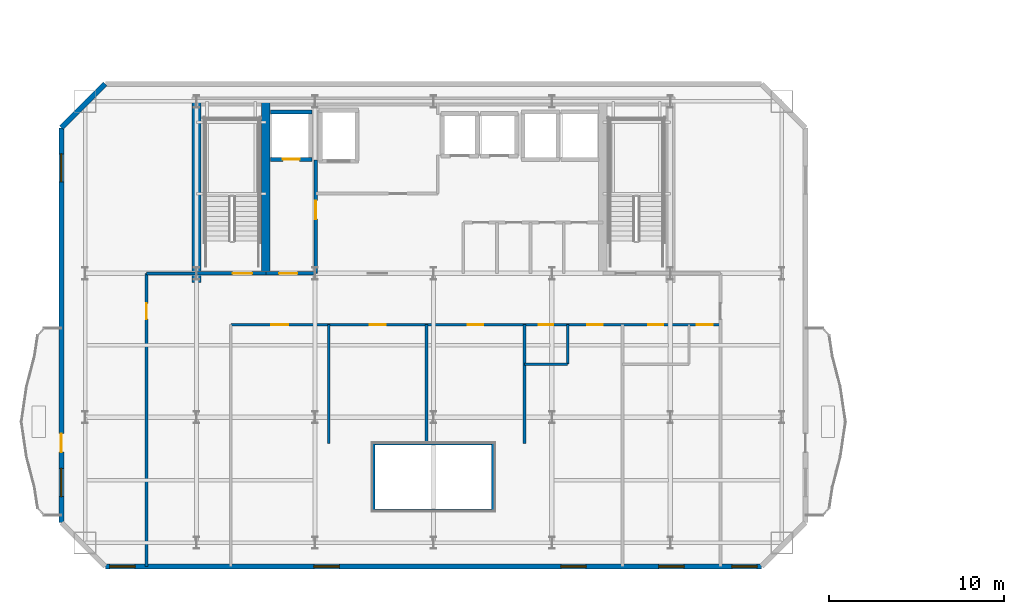
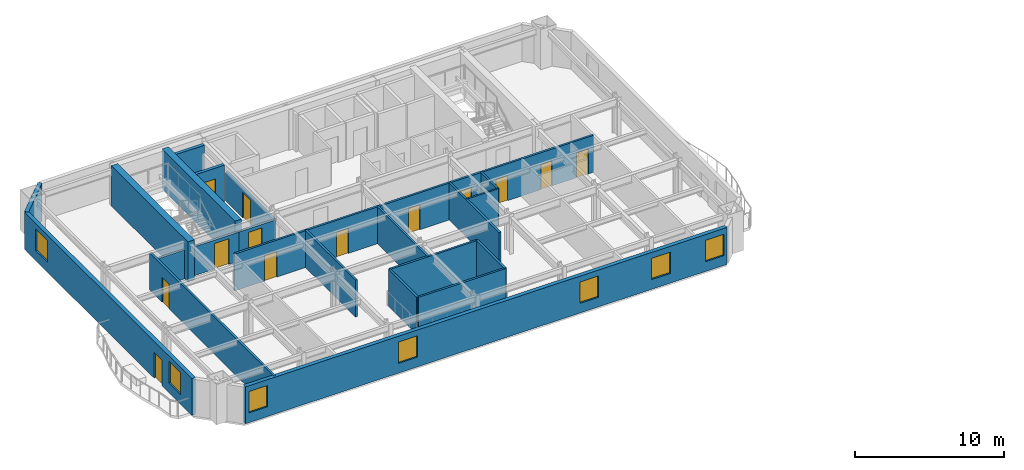
# One storey, part 5 of 13: 22 walls, 13 doors, 7 windows, 20 openings.
"""IFC4 building model written with IfcOpenShell, lengths in metres."""

from ifc_helpers import new_model, si_unit, direction, frame, frame_2d, origin, place, context, subcontext, project, spatial, rectangle, extrude, material, layer, layer_set, type_object, element, fill, save


model = new_model("IFC4")

# Units and contexts
model_context = context("Model", 3, precision=1e-05, world=origin(), true_north=direction((0.0, 1.0)))
body_context = subcontext(model_context, "Body", "Model", "MODEL_VIEW")
ifc_project = project(units=[si_unit("LENGTHUNIT", "METRE"), si_unit("AREAUNIT", "SQUARE_METRE"), si_unit("VOLUMEUNIT", "CUBIC_METRE"), si_unit("PLANEANGLEUNIT", "RADIAN"), si_unit("MASSUNIT", "GRAM", prefix="KILO")], contexts=[model_context])

# Site, building, storey
site_placement = place(None, origin())
site = spatial("IfcSite", under=ifc_project, at=site_placement, CompositionType="ELEMENT")
building_placement = place(site_placement, origin())
building = spatial("IfcBuilding", under=site, at=building_placement, Name="Haevon Station Towers", CompositionType="ELEMENT")
storey_placement = place(building_placement, frame((0.0, 0.0, 142.800048828125)))
storey = spatial("IfcBuildingStorey", under=building, at=storey_placement, Name="L38", CompositionType="ELEMENT", Elevation=142.800048828125)

# Wall, opening, door
ifc_material_1 = material(Name="Gypsum board on steel stud", Category="steel")
ifc_layer_1 = layer(ifc_material_1, 0.199951171875)
ifc_layer_set_1 = layer_set([ifc_layer_1], Name="Gypsum board on steel stud")
wall_type_1 = type_object("IfcWallType", Name="WL-COR200", PredefinedType="PARTITIONING", material=ifc_layer_set_1)
wall_1_placement = place(storey_placement, frame((24.0, 38.199951171875, 0.0), z_axis=(0.0, 0.0, 1.0), x_axis=(1.0, 0.0, 0.0)))
wall_1 = element("IfcWall", 1, at=wall_1_placement, inside=storey, type_object=wall_type_1, Name="WL-ST-ST1-L38", PredefinedType="PARTITIONING", context=body_context, shape_type="SweptSolid", body=[
    extrude(rectangle(XDim=3.949951171875, YDim=0.199951171875, at=frame_2d((1.97509765625, 0.0))), origin(), (0.0, 0.0, 1.0), 2.3798828125),
])
opening_1_placement = place(wall_1_placement, frame((2.050048828125, 0.0, 0.0)))
opening_1 = element("IfcOpeningElement", 2, at=opening_1_placement, cuts=wall_1, Name="Opening DR-ST-ST1-L38", PredefinedType="OPENING", context=body_context, shape_type="SweptSolid", body=[
    extrude(rectangle(XDim=1.1201171875, YDim=2.10009765625, at=frame_2d((0.56005859375, 1.050048828125))), frame((0.0, 0.10986328125, 0.0), z_axis=(0.0, -1.0, 0.0), x_axis=(1.0, 0.0, 0.0)), (0.0, 0.0, 1.0), 0.219970703125),
])
ifc_material_2 = material(Name="Engineered oak timber", Category="wood")
door_type_1 = type_object("IfcDoorType", Name="DR-ST-1120", OperationType="NOTDEFINED", PredefinedType="DOOR", material=ifc_material_2)
door_1_placement = place(opening_1_placement, origin())
door_1 = element("IfcDoor", 3, at=door_1_placement, inside=storey, type_object=door_type_1, Name="L38 Escape Stair ST1 Fire Door", OperationType="SINGLE_SWING_RIGHT", OverallHeight=2.10009765625, OverallWidth=1.1201171875, PredefinedType="DOOR", context=body_context, shape_type="SweptSolid", body=[
    extrude(rectangle(XDim=1.1201171875, YDim=2.10009765625, at=frame_2d((0.56005859375, 1.050048828125))), frame((0.0, 0.02490234375, 0.0), z_axis=(0.0, -1.0, 0.0), x_axis=(1.0, 0.0, 0.0)), (0.0, 0.0, 1.0), 0.050048828125),
])
fill(opening_1, door_1)

wall_2_placement = place(storey_placement, frame((30.800048828125, 38.199951171875, 0.0), z_axis=(0.0, 0.0, 1.0), x_axis=(0.0, 1.0, 0.0)))
wall_2 = element("IfcWall", 4, at=wall_2_placement, inside=storey, type_object=wall_type_1, Name="WL-T1FFL-L38-E", PredefinedType="PARTITIONING", context=body_context, shape_type="SweptSolid", body=[
    extrude(rectangle(XDim=6.449951171875, YDim=0.199951171875, at=frame_2d((3.22509765625, 0.0))), origin(), (0.0, 0.0, 1.0), 2.3798828125),
])
opening_2_placement = place(wall_2_placement, frame((3.10009765625, 0.0, 0.0)))
opening_2 = element("IfcOpeningElement", 5, at=opening_2_placement, cuts=wall_2, Name="Opening DR-T1FFL-L38-E", PredefinedType="OPENING", context=body_context, shape_type="SweptSolid", body=[
    extrude(rectangle(XDim=1.050048828125, YDim=2.10009765625, at=frame_2d((0.52490234375, 1.050048828125))), frame((0.0, 0.10986328125, 0.0), z_axis=(0.0, -1.0, 0.0), x_axis=(1.0, 0.0, 0.0)), (0.0, 0.0, 1.0), 0.219970703125),
])
door_type_2 = type_object("IfcDoorType", Name="DR-FD60-1050", OperationType="NOTDEFINED", PredefinedType="DOOR", material=ifc_material_2)
door_2_placement = place(opening_2_placement, origin())
door_2 = element("IfcDoor", 6, at=door_2_placement, inside=storey, type_object=door_type_2, Name="L38 Tower 1 Firefighting Lift Lobby Door E", OperationType="SINGLE_SWING_RIGHT", OverallHeight=2.10009765625, OverallWidth=1.050048828125, PredefinedType="DOOR", context=body_context, shape_type="SweptSolid", body=[
    extrude(rectangle(XDim=1.050048828125, YDim=2.10009765625, at=frame_2d((0.52490234375, 1.050048828125))), frame((0.0, 0.02490234375, 0.0), z_axis=(0.0, -1.0, 0.0), x_axis=(1.0, 0.0, 0.0)), (0.0, 0.0, 1.0), 0.050048828125),
])
fill(opening_2, door_2)

wall_3_placement = place(storey_placement, frame((27.949951171875, 38.199951171875, 0.0), z_axis=(0.0, 0.0, 1.0), x_axis=(1.0, 0.0, 0.0)))
wall_3 = element("IfcWall", 7, at=wall_3_placement, inside=storey, type_object=wall_type_1, Name="WL-T1FFL-L38-S", PredefinedType="PARTITIONING", context=body_context, shape_type="SweptSolid", body=[
    extrude(rectangle(XDim=2.85009765625, YDim=0.199951171875, at=frame_2d((1.425048828125, 0.0))), origin(), (0.0, 0.0, 1.0), 2.3798828125),
])
opening_3_placement = place(wall_3_placement, frame((0.75, 0.0, 0.0)))
opening_3 = element("IfcOpeningElement", 8, at=opening_3_placement, cuts=wall_3, Name="Opening DR-T1FFL-L38-S", PredefinedType="OPENING", context=body_context, shape_type="SweptSolid", body=[
    extrude(rectangle(XDim=1.050048828125, YDim=2.10009765625, at=frame_2d((0.52490234375, 1.050048828125))), frame((0.0, 0.10986328125, 0.0), z_axis=(0.0, -1.0, 0.0), x_axis=(1.0, 0.0, 0.0)), (0.0, 0.0, 1.0), 0.219970703125),
])
door_3_placement = place(opening_3_placement, origin())
door_3 = element("IfcDoor", 9, at=door_3_placement, inside=storey, type_object=door_type_2, Name="L38 Tower 1 Firefighting Lift Lobby Door S", OperationType="SINGLE_SWING_LEFT", OverallHeight=2.10009765625, OverallWidth=1.050048828125, PredefinedType="DOOR", context=body_context, shape_type="SweptSolid", body=[
    extrude(rectangle(XDim=1.050048828125, YDim=2.10009765625, at=frame_2d((0.52490234375, 1.050048828125))), frame((0.0, 0.02490234375, 0.0), z_axis=(0.0, -1.0, 0.0), x_axis=(1.0, 0.0, 0.0)), (0.0, 0.0, 1.0), 0.050048828125),
])
fill(opening_3, door_3)

# Walls
ifc_material_3 = material(Name="Concrete C60/75", Category="concrete")
ifc_layer_2 = layer(ifc_material_3, 0.5)
ifc_layer_set_2 = layer_set([ifc_layer_2], Name="Concrete C60/75")
wall_type_2 = type_object("IfcWallType", Name="WL-CR500", PredefinedType="SHEAR", material=ifc_layer_set_2)
wall_4_placement = place(storey_placement, frame((24.0, 37.679931640625, 0.0), z_axis=(0.0, 0.0, 1.0), x_axis=(0.0, 1.0, 0.0)))
element("IfcWall", 10, at=wall_4_placement, inside=storey, type_object=wall_type_2, Name="WL-T1CR-L38-W", PredefinedType="SHEAR", context=body_context, shape_type="SweptSolid", body=[
    extrude(rectangle(XDim=10.320068359375, YDim=0.5, at=frame_2d((5.16015625, 0.0))), origin(), (0.0, 0.0, 1.0), 3.300048828125),
])
wall_5_placement = place(storey_placement, frame((27.949951171875, 38.199951171875, 0.0), z_axis=(0.0, 0.0, 1.0), x_axis=(0.0, 1.0, 0.0)))
element("IfcWall", 11, at=wall_5_placement, inside=storey, type_object=wall_type_2, Name="WL-T1CR-L38-M1", PredefinedType="SHEAR", context=body_context, shape_type="SweptSolid", body=[
    extrude(rectangle(XDim=9.800048828125, YDim=0.5, at=frame_2d((4.89990234375, 0.0))), origin(), (0.0, 0.0, 1.0), 3.300048828125),
])

# Wall, openings, windows
ifc_material_4 = material(Name="Precast concrete C45/55", Category="concrete")
ifc_layer_3 = layer(ifc_material_4, 0.300048828125)
ifc_layer_set_3 = layer_set([ifc_layer_3], Name="Precast concrete C45/55")
wall_type_3 = type_object("IfcWallType", Name="WL-EXT-PIER300", PredefinedType="SOLIDWALL", material=ifc_layer_set_3)
wall_6_placement = place(storey_placement, frame((56.199951171875, 21.5, 0.0), z_axis=(0.0, 0.0, 1.0), x_axis=(-1.0, 0.0, 0.0)))
wall_6 = element("IfcWall", 12, at=wall_6_placement, inside=storey, type_object=wall_type_3, Name="WL-T1-L38-S", PredefinedType="SOLIDWALL", context=body_context, shape_type="SweptSolid", body=[
    extrude(rectangle(XDim=37.39990234375, YDim=0.300048828125, at=frame_2d((18.699951171875, 0.0))), origin(), (0.0, 0.0, 1.0), 3.030029296875),
])
opening_4_placement = place(wall_6_placement, frame((35.699951171875, 0.0, 0.800048828125)))
opening_4 = element("IfcOpeningElement", 13, at=opening_4_placement, cuts=wall_6, Name="Opening WN-P145", PredefinedType="OPENING", context=body_context, shape_type="SweptSolid", body=[
    extrude(rectangle(XDim=1.449951171875, YDim=1.75, at=frame_2d((0.72509765625, 0.875))), frame((0.0, 0.159912109375, 0.0), z_axis=(0.0, -1.0, 0.0), x_axis=(1.0, 0.0, 0.0)), (0.0, 0.0, 1.0), 0.320068359375),
])
opening_5_placement = place(wall_6_placement, frame((0.25, 0.0, 0.800048828125)))
opening_5 = element("IfcOpeningElement", 14, at=opening_5_placement, cuts=wall_6, Name="Opening WN-P145", PredefinedType="OPENING", context=body_context, shape_type="SweptSolid", body=[
    extrude(rectangle(XDim=1.449951171875, YDim=1.75, at=frame_2d((0.72509765625, 0.875))), frame((0.0, 0.159912109375, 0.0), z_axis=(0.0, -1.0, 0.0), x_axis=(1.0, 0.0, 0.0)), (0.0, 0.0, 1.0), 0.320068359375),
])
opening_6_placement = place(wall_6_placement, frame((24.06103515625, 0.0, 0.800048828125)))
opening_6 = element("IfcOpeningElement", 15, at=opening_6_placement, cuts=wall_6, Name="Opening WN-P145", PredefinedType="OPENING", context=body_context, shape_type="SweptSolid", body=[
    extrude(rectangle(XDim=1.449951171875, YDim=1.75, at=frame_2d((0.72509765625, 0.875))), frame((0.0, 0.159912109375, 0.0), z_axis=(0.0, -1.0, 0.0), x_axis=(1.0, 0.0, 0.0)), (0.0, 0.0, 1.0), 0.320068359375),
])
opening_7_placement = place(wall_6_placement, frame((9.9951171875, 0.0, 0.800048828125)))
opening_7 = element("IfcOpeningElement", 16, at=opening_7_placement, cuts=wall_6, Name="Opening WN-P145", PredefinedType="OPENING", context=body_context, shape_type="SweptSolid", body=[
    extrude(rectangle(XDim=1.449951171875, YDim=1.75, at=frame_2d((0.72509765625, 0.875))), frame((0.0, 0.159912109375, 0.0), z_axis=(0.0, -1.0, 0.0), x_axis=(1.0, 0.0, 0.0)), (0.0, 0.0, 1.0), 0.320068359375),
])
opening_8_placement = place(wall_6_placement, frame((4.4150390625, 0.0, 0.800048828125)))
opening_8 = element("IfcOpeningElement", 17, at=opening_8_placement, cuts=wall_6, Name="Opening WN-P145", PredefinedType="OPENING", context=body_context, shape_type="SweptSolid", body=[
    extrude(rectangle(XDim=1.449951171875, YDim=1.75, at=frame_2d((0.72509765625, 0.875))), frame((0.0, 0.159912109375, 0.0), z_axis=(0.0, -1.0, 0.0), x_axis=(1.0, 0.0, 0.0)), (0.0, 0.0, 1.0), 0.320068359375),
])
ifc_material_5 = material(Name="Low-E triple glazing in thermally broken aluminium", Category="aluminium")
window_type_1 = type_object("IfcWindowType", Name="WN-P145", PartitioningType="SINGLE_PANEL", PredefinedType="WINDOW", material=ifc_material_5)
window_1_placement = place(opening_4_placement, origin())
window_1 = element("IfcWindow", 18, at=window_1_placement, inside=storey, type_object=window_type_1, Name="WN-T1-L38-S01", OverallHeight=1.75, OverallWidth=1.449951171875, PartitioningType="SINGLE_PANEL", PredefinedType="WINDOW", context=body_context, shape_type="SweptSolid", body=[
    extrude(rectangle(XDim=1.449951171875, YDim=1.75, at=frame_2d((0.72509765625, 0.875))), frame((0.0, 0.030029296875, 0.0), z_axis=(0.0, -1.0, 0.0), x_axis=(1.0, 0.0, 0.0)), (0.0, 0.0, 1.0), 0.06005859375),
])
fill(opening_4, window_1)
window_2_placement = place(opening_5_placement, origin())
window_2 = element("IfcWindow", 19, at=window_2_placement, inside=storey, type_object=window_type_1, Name="WN-T1-L38-S02", OverallHeight=1.75, OverallWidth=1.449951171875, PartitioningType="SINGLE_PANEL", PredefinedType="WINDOW", context=body_context, shape_type="SweptSolid", body=[
    extrude(rectangle(XDim=1.449951171875, YDim=1.75, at=frame_2d((0.72509765625, 0.875))), frame((0.0, 0.030029296875, 0.0), z_axis=(0.0, -1.0, 0.0), x_axis=(1.0, 0.0, 0.0)), (0.0, 0.0, 1.0), 0.06005859375),
])
fill(opening_5, window_2)
window_3_placement = place(opening_6_placement, origin())
window_3 = element("IfcWindow", 20, at=window_3_placement, inside=storey, type_object=window_type_1, Name="WN-T1-L38-S03", OverallHeight=1.75, OverallWidth=1.449951171875, PartitioningType="SINGLE_PANEL", PredefinedType="WINDOW", context=body_context, shape_type="SweptSolid", body=[
    extrude(rectangle(XDim=1.449951171875, YDim=1.75, at=frame_2d((0.72509765625, 0.875))), frame((0.0, 0.030029296875, 0.0), z_axis=(0.0, -1.0, 0.0), x_axis=(1.0, 0.0, 0.0)), (0.0, 0.0, 1.0), 0.06005859375),
])
fill(opening_6, window_3)
window_4_placement = place(opening_7_placement, origin())
window_4 = element("IfcWindow", 21, at=window_4_placement, inside=storey, type_object=window_type_1, Name="WN-T1-L38-S04", OverallHeight=1.75, OverallWidth=1.449951171875, PartitioningType="SINGLE_PANEL", PredefinedType="WINDOW", context=body_context, shape_type="SweptSolid", body=[
    extrude(rectangle(XDim=1.449951171875, YDim=1.75, at=frame_2d((0.72509765625, 0.875))), frame((0.0, 0.030029296875, 0.0), z_axis=(0.0, -1.0, 0.0), x_axis=(1.0, 0.0, 0.0)), (0.0, 0.0, 1.0), 0.06005859375),
])
fill(opening_7, window_4)
window_5_placement = place(opening_8_placement, origin())
window_5 = element("IfcWindow", 22, at=window_5_placement, inside=storey, type_object=window_type_1, Name="WN-T1-L38-S05", OverallHeight=1.75, OverallWidth=1.449951171875, PartitioningType="SINGLE_PANEL", PredefinedType="WINDOW", context=body_context, shape_type="SweptSolid", body=[
    extrude(rectangle(XDim=1.449951171875, YDim=1.75, at=frame_2d((0.72509765625, 0.875))), frame((0.0, 0.030029296875, 0.0), z_axis=(0.0, -1.0, 0.0), x_axis=(1.0, 0.0, 0.0)), (0.0, 0.0, 1.0), 0.06005859375),
])
fill(opening_8, window_5)

# Wall, openings, door, windows
wall_7_placement = place(storey_placement, frame((16.300048828125, 24.0, 0.0), z_axis=(0.0, 0.0, 1.0), x_axis=(0.0, 1.0, 0.0)))
wall_7 = element("IfcWall", 23, at=wall_7_placement, inside=storey, type_object=wall_type_3, Name="WL-T1-L38-W", PredefinedType="SOLIDWALL", context=body_context, shape_type="SweptSolid", body=[
    extrude(rectangle(XDim=22.5, YDim=0.300048828125, at=frame_2d((11.25, 0.0))), origin(), (0.0, 0.0, 1.0), 3.030029296875),
])
opening_9_placement = place(wall_7_placement, frame((4.02490234375, 0.0, 0.0)))
opening_9 = element("IfcOpeningElement", 24, at=opening_9_placement, cuts=wall_7, Name="Opening DR-T1-SCAL-L38-W", PredefinedType="OPENING", context=body_context, shape_type="SweptSolid", body=[
    extrude(rectangle(XDim=1.050048828125, YDim=2.10009765625, at=frame_2d((0.52490234375, 1.050048828125))), frame((0.0, 0.159912109375, 0.0), z_axis=(0.0, -1.0, 0.0), x_axis=(1.0, 0.0, 0.0)), (0.0, 0.0, 1.0), 0.320068359375),
])
opening_10_placement = place(wall_7_placement, frame((1.4892578125, 0.0, 0.800048828125)))
opening_10 = element("IfcOpeningElement", 25, at=opening_10_placement, cuts=wall_7, Name="Opening WN-END160", PredefinedType="OPENING", context=body_context, shape_type="SweptSolid", body=[
    extrude(rectangle(XDim=1.60009765625, YDim=1.800048828125, at=frame_2d((0.800048828125, 0.89990234375))), frame((0.0, 0.159912109375, 0.0), z_axis=(0.0, -1.0, 0.0), x_axis=(1.0, 0.0, 0.0)), (0.0, 0.0, 1.0), 0.320068359375),
])
opening_11_placement = place(wall_7_placement, frame((19.41064453125, 0.0, 0.800048828125)))
opening_11 = element("IfcOpeningElement", 26, at=opening_11_placement, cuts=wall_7, Name="Opening WN-END160", PredefinedType="OPENING", context=body_context, shape_type="SweptSolid", body=[
    extrude(rectangle(XDim=1.60009765625, YDim=1.800048828125, at=frame_2d((0.800048828125, 0.89990234375))), frame((0.0, 0.159912109375, 0.0), z_axis=(0.0, -1.0, 0.0), x_axis=(1.0, 0.0, 0.0)), (0.0, 0.0, 1.0), 0.320068359375),
])
ifc_material_6 = material(Name="Thermally broken anodised aluminium and laminated safety glass", Category="aluminium")
door_type_3 = type_object("IfcDoorType", Name="DR-BALC-1050", OperationType="NOTDEFINED", PredefinedType="DOOR", material=ifc_material_6)
door_4_placement = place(opening_9_placement, origin())
door_4 = element("IfcDoor", 27, at=door_4_placement, inside=storey, type_object=door_type_3, Name="Tower 1 L38 West Scalloped Balcony Door", OperationType="SINGLE_SWING_LEFT", OverallHeight=2.10009765625, OverallWidth=1.050048828125, PredefinedType="DOOR", context=body_context, shape_type="SweptSolid", body=[
    extrude(rectangle(XDim=1.050048828125, YDim=2.10009765625, at=frame_2d((0.52490234375, 1.050048828125))), frame((0.0, 0.02490234375, 0.0), z_axis=(0.0, -1.0, 0.0), x_axis=(1.0, 0.0, 0.0)), (0.0, 0.0, 1.0), 0.050048828125),
])
fill(opening_9, door_4)
window_type_2 = type_object("IfcWindowType", Name="WN-END160", PartitioningType="SINGLE_PANEL", PredefinedType="WINDOW", material=ifc_material_5)
window_6_placement = place(opening_10_placement, origin())
window_6 = element("IfcWindow", 28, at=window_6_placement, inside=storey, type_object=window_type_2, Name="WN-T1-L38-W01", OverallHeight=1.800048828125, OverallWidth=1.60009765625, PartitioningType="SINGLE_PANEL", PredefinedType="WINDOW", context=body_context, shape_type="SweptSolid", body=[
    extrude(rectangle(XDim=1.60009765625, YDim=1.800048828125, at=frame_2d((0.800048828125, 0.89990234375))), frame((0.0, 0.030029296875, 0.0), z_axis=(0.0, -1.0, 0.0), x_axis=(1.0, 0.0, 0.0)), (0.0, 0.0, 1.0), 0.06005859375),
])
fill(opening_10, window_6)
window_7_placement = place(opening_11_placement, origin())
window_7 = element("IfcWindow", 29, at=window_7_placement, inside=storey, type_object=window_type_2, Name="WN-T1-L38-W02", OverallHeight=1.800048828125, OverallWidth=1.60009765625, PartitioningType="SINGLE_PANEL", PredefinedType="WINDOW", context=body_context, shape_type="SweptSolid", body=[
    extrude(rectangle(XDim=1.60009765625, YDim=1.800048828125, at=frame_2d((0.800048828125, 0.89990234375))), frame((0.0, 0.030029296875, 0.0), z_axis=(0.0, -1.0, 0.0), x_axis=(1.0, 0.0, 0.0)), (0.0, 0.0, 1.0), 0.06005859375),
])
fill(opening_11, window_7)

# Walls
wall_8_placement = place(storey_placement, frame((16.300048828125, 46.5, 0.0), z_axis=(0.0, 0.0, 1.0), x_axis=(0.707106781187, 0.707106781187, 0.0)))
element("IfcWall", 30, at=wall_8_placement, inside=storey, type_object=wall_type_3, Name="WL-T1-L38-NWC", PredefinedType="SOLIDWALL", context=body_context, shape_type="SweptSolid", body=[
    extrude(rectangle(XDim=3.53564453125, YDim=0.300048828125, at=frame_2d((1.767822265625, 0.0))), origin(), (0.0, 0.0, 1.0), 3.030029296875),
])
ifc_layer_4 = layer(ifc_material_1, 0.125)
ifc_layer_set_4 = layer_set([ifc_layer_4], Name="Gypsum board on steel stud")
wall_type_4 = type_object("IfcWallType", Name="WL-PRT125", PredefinedType="PARTITIONING", material=ifc_layer_set_4)
wall_9_placement = place(storey_placement, frame((42.68994140625, 33.030029296875, 0.0), z_axis=(0.0, 0.0, 1.0), x_axis=(1.0, 0.0, 0.0)))
element("IfcWall", 31, at=wall_9_placement, inside=storey, type_object=wall_type_4, Name="WL-T1PT-L38-15", PredefinedType="PARTITIONING", context=body_context, shape_type="SweptSolid", body=[
    extrude(rectangle(XDim=2.449951171875, YDim=0.125, at=frame_2d((1.22509765625, 0.0))), origin(), (0.0, 0.0, 1.0), 3.030029296875),
])
ifc_layer_5 = layer(ifc_material_1, 0.139892578125)
ifc_layer_set_5 = layer_set([ifc_layer_5], Name="Gypsum board on steel stud")
wall_type_5 = type_object("IfcWallType", Name="WL-PRT140", PredefinedType="PARTITIONING", material=ifc_layer_set_5)
wall_10_placement = place(storey_placement, frame((45.139892578125, 33.030029296875, 0.0), z_axis=(0.0, 0.0, 1.0), x_axis=(0.0, 1.0, 0.0)))
element("IfcWall", 32, at=wall_10_placement, inside=storey, type_object=wall_type_5, Name="WL-T1PT-L38-16", PredefinedType="PARTITIONING", context=body_context, shape_type="SweptSolid", body=[
    extrude(rectangle(XDim=2.25, YDim=0.139892578125, at=frame_2d((1.125, 0.0))), origin(), (0.0, 0.0, 1.0), 3.030029296875),
])
ifc_layer_6 = layer(ifc_material_1, 0.159912109375)
ifc_layer_set_6 = layer_set([ifc_layer_6], Name="Gypsum board on steel stud")
wall_type_6 = type_object("IfcWallType", Name="WL-PRT160", PredefinedType="PARTITIONING", material=ifc_layer_set_6)
wall_11_placement = place(storey_placement, frame((21.14990234375, 38.199951171875, 0.0), z_axis=(0.0, 0.0, 1.0), x_axis=(1.0, 0.0, 0.0)))
element("IfcWall", 33, at=wall_11_placement, inside=storey, type_object=wall_type_6, Name="WL-T1PT-L38-02", PredefinedType="PARTITIONING", context=body_context, shape_type="SweptSolid", body=[
    extrude(rectangle(XDim=2.85009765625, YDim=0.159912109375, at=frame_2d((1.425048828125, 0.0))), origin(), (0.0, 0.0, 1.0), 2.3798828125),
])

# Wall, opening, door
wall_12_placement = place(storey_placement, frame((21.14990234375, 21.5, 0.0), z_axis=(0.0, 0.0, 1.0), x_axis=(0.0, 1.0, 0.0)))
wall_12 = element("IfcWall", 34, at=wall_12_placement, inside=storey, type_object=wall_type_6, Name="WL-T1PT-L38-04", PredefinedType="PARTITIONING", context=body_context, shape_type="SweptSolid", body=[
    extrude(rectangle(XDim=16.699951171875, YDim=0.159912109375, at=frame_2d((8.35009765625, 0.0))), origin(), (0.0, 0.0, 1.0), 3.030029296875),
])
opening_12_placement = place(wall_12_placement, frame((14.10009765625, 0.0, 0.0)))
opening_12 = element("IfcOpeningElement", 35, at=opening_12_placement, cuts=wall_12, Name="Opening DR-WL-T1PT-L38-04-01", PredefinedType="OPENING", context=body_context, shape_type="SweptSolid", body=[
    extrude(rectangle(XDim=0.89990234375, YDim=2.050048828125, at=frame_2d((0.449951171875, 1.02490234375))), frame((0.0, 0.08984375, 0.0), z_axis=(0.0, -1.0, 0.0), x_axis=(1.0, 0.0, 0.0)), (0.0, 0.0, 1.0), 0.179931640625),
])
door_type_4 = type_object("IfcDoorType", Name="DR-INT-900", OperationType="NOTDEFINED", PredefinedType="DOOR", material=ifc_material_2)
door_5_placement = place(opening_12_placement, origin())
door_5 = element("IfcDoor", 36, at=door_5_placement, inside=storey, type_object=door_type_4, Name="L38 Tower 1 Room Door 4-1", OperationType="SINGLE_SWING_RIGHT", OverallHeight=2.050048828125, OverallWidth=0.89990234375, PredefinedType="DOOR", context=body_context, shape_type="SweptSolid", body=[
    extrude(rectangle(XDim=0.89990234375, YDim=2.050048828125, at=frame_2d((0.449951171875, 1.02490234375))), frame((0.0, 0.02490234375, 0.0), z_axis=(0.0, -1.0, 0.0), x_axis=(1.0, 0.0, 0.0)), (0.0, 0.0, 1.0), 0.050048828125),
])
fill(opening_12, door_5)

# Walls
for number, where, z_axis, x_axis, name in (
    (37, (34.10009765625, 24.699951171875, 0.0), (0.0, 0.0, 1.0), (1.0, 0.0, 0.0), "WL-T1PT-L38-06"),
    (38, (34.10009765625, 28.5, 0.0), (0.0, 0.0, 1.0), (1.0, 0.0, 0.0), "WL-T1PT-L38-07"),
):
    element("IfcWall", number, at=place(storey_placement, frame(where, z_axis=z_axis, x_axis=x_axis)), inside=storey, type_object=wall_type_6, Name=name, PredefinedType="PARTITIONING", context=body_context, shape_type="SweptSolid", body=[
        extrude(rectangle(XDim=6.7998046875, YDim=0.159912109375, at=frame_2d((3.39990234375, 0.0))), origin(), (0.0, 0.0, 1.0), 3.030029296875),
    ])
for number, where, z_axis, x_axis, name in (
    (39, (34.10009765625, 24.699951171875, 0.0), (0.0, 0.0, 1.0), (0.0, 1.0, 0.0), "WL-T1PT-L38-08"),
    (40, (40.89990234375, 24.699951171875, 0.0), (0.0, 0.0, 1.0), (0.0, 1.0, 0.0), "WL-T1PT-L38-09"),
):
    element("IfcWall", number, at=place(storey_placement, frame(where, z_axis=z_axis, x_axis=x_axis)), inside=storey, type_object=wall_type_6, Name=name, PredefinedType="PARTITIONING", context=body_context, shape_type="SweptSolid", body=[
        extrude(rectangle(XDim=3.800048828125, YDim=0.159912109375, at=frame_2d((1.89990234375, 0.0))), origin(), (0.0, 0.0, 1.0), 3.030029296875),
    ])
for number, where, z_axis, x_axis, name in (
    (41, (31.530029296875, 28.5, 0.0), (0.0, 0.0, 1.0), (0.0, 1.0, 0.0), "WL-T1PT-L38-10"),
    (42, (37.110107421875, 28.5, 0.0), (0.0, 0.0, 1.0), (0.0, 1.0, 0.0), "WL-T1PT-L38-11"),
    (43, (42.68994140625, 28.5, 0.0), (0.0, 0.0, 1.0), (0.0, 1.0, 0.0), "WL-T1PT-L38-13"),
):
    element("IfcWall", number, at=place(storey_placement, frame(where, z_axis=z_axis, x_axis=x_axis)), inside=storey, type_object=wall_type_6, Name=name, PredefinedType="PARTITIONING", context=body_context, shape_type="SweptSolid", body=[
        extrude(rectangle(XDim=6.780029296875, YDim=0.159912109375, at=frame_2d((3.39013671875, 0.0))), origin(), (0.0, 0.0, 1.0), 3.030029296875),
    ])

# Wall, openings, doors
wall_13_placement = place(storey_placement, frame((25.949951171875, 35.280029296875, 0.0), z_axis=(0.0, 0.0, 1.0), x_axis=(1.0, 0.0, 0.0)))
wall_13 = element("IfcWall", 44, at=wall_13_placement, inside=storey, type_object=wall_type_6, Name="WL-T1PT-L38-20", PredefinedType="PARTITIONING", context=body_context, shape_type="SweptSolid", body=[
    extrude(rectangle(XDim=27.900146484375, YDim=0.159912109375, at=frame_2d((13.9501953125, 0.0))), origin(), (0.0, 0.0, 1.0), 3.030029296875),
])
opening_13_placement = place(wall_13_placement, frame((2.31494140625, 0.0, 0.0)))
opening_13 = element("IfcOpeningElement", 45, at=opening_13_placement, cuts=wall_13, Name="Opening DR-WL-T1PT-L38-20-01", PredefinedType="OPENING", context=body_context, shape_type="SweptSolid", body=[
    extrude(rectangle(XDim=0.949951171875, YDim=2.10009765625, at=frame_2d((0.47509765625, 1.050048828125))), frame((0.0, 0.08984375, 0.0), z_axis=(0.0, -1.0, 0.0), x_axis=(1.0, 0.0, 0.0)), (0.0, 0.0, 1.0), 0.179931640625),
])
opening_14_placement = place(wall_13_placement, frame((7.919921875, 0.0, 0.0)))
opening_14 = element("IfcOpeningElement", 46, at=opening_14_placement, cuts=wall_13, Name="Opening DR-WL-T1PT-L38-20-02", PredefinedType="OPENING", context=body_context, shape_type="SweptSolid", body=[
    extrude(rectangle(XDim=0.89990234375, YDim=2.050048828125, at=frame_2d((0.449951171875, 1.02490234375))), frame((0.0, 0.08984375, 0.0), z_axis=(0.0, -1.0, 0.0), x_axis=(1.0, 0.0, 0.0)), (0.0, 0.0, 1.0), 0.179931640625),
])
opening_15_placement = place(wall_13_placement, frame((13.5, 0.0, 0.0)))
opening_15 = element("IfcOpeningElement", 47, at=opening_15_placement, cuts=wall_13, Name="Opening DR-WL-T1PT-L38-20-03", PredefinedType="OPENING", context=body_context, shape_type="SweptSolid", body=[
    extrude(rectangle(XDim=0.89990234375, YDim=2.050048828125, at=frame_2d((0.449951171875, 1.02490234375))), frame((0.0, 0.08984375, 0.0), z_axis=(0.0, -1.0, 0.0), x_axis=(1.0, 0.0, 0.0)), (0.0, 0.0, 1.0), 0.179931640625),
])
opening_16_placement = place(wall_13_placement, frame((17.5400390625, 0.0, 0.0)))
opening_16 = element("IfcOpeningElement", 48, at=opening_16_placement, cuts=wall_13, Name="Opening DR-WL-T1PT-L38-20-04", PredefinedType="OPENING", context=body_context, shape_type="SweptSolid", body=[
    extrude(rectangle(XDim=0.85009765625, YDim=2.050048828125, at=frame_2d((0.425048828125, 1.02490234375))), frame((0.0, 0.08984375, 0.0), z_axis=(0.0, -1.0, 0.0), x_axis=(1.0, 0.0, 0.0)), (0.0, 0.0, 1.0), 0.179931640625),
])
opening_17_placement = place(wall_13_placement, frame((20.304931640625, 0.0, 0.0)))
opening_17 = element("IfcOpeningElement", 49, at=opening_17_placement, cuts=wall_13, Name="Opening DR-WL-T1PT-L38-20-05", PredefinedType="OPENING", context=body_context, shape_type="SweptSolid", body=[
    extrude(rectangle(XDim=0.89990234375, YDim=2.050048828125, at=frame_2d((0.449951171875, 1.02490234375))), frame((0.0, 0.08984375, 0.0), z_axis=(0.0, -1.0, 0.0), x_axis=(1.0, 0.0, 0.0)), (0.0, 0.0, 1.0), 0.179931640625),
])
opening_18_placement = place(wall_13_placement, frame((23.794921875, 0.0, 0.0)))
opening_18 = element("IfcOpeningElement", 50, at=opening_18_placement, cuts=wall_13, Name="Opening DR-WL-T1PT-L38-20-06", PredefinedType="OPENING", context=body_context, shape_type="SweptSolid", body=[
    extrude(rectangle(XDim=0.85009765625, YDim=2.050048828125, at=frame_2d((0.425048828125, 1.02490234375))), frame((0.0, 0.08984375, 0.0), z_axis=(0.0, -1.0, 0.0), x_axis=(1.0, 0.0, 0.0)), (0.0, 0.0, 1.0), 0.179931640625),
])
opening_19_placement = place(wall_13_placement, frame((26.56005859375, 0.0, 0.0)))
opening_19 = element("IfcOpeningElement", 51, at=opening_19_placement, cuts=wall_13, Name="Opening DR-WL-T1PT-L38-20-07", PredefinedType="OPENING", context=body_context, shape_type="SweptSolid", body=[
    extrude(rectangle(XDim=0.89990234375, YDim=2.050048828125, at=frame_2d((0.449951171875, 1.02490234375))), frame((0.0, 0.08984375, 0.0), z_axis=(0.0, -1.0, 0.0), x_axis=(1.0, 0.0, 0.0)), (0.0, 0.0, 1.0), 0.179931640625),
])
door_type_5 = type_object("IfcDoorType", Name="DR-FD30-850", OperationType="NOTDEFINED", PredefinedType="DOOR", material=ifc_material_2)
door_6_placement = place(opening_16_placement, origin())
door_6 = element("IfcDoor", 52, at=door_6_placement, inside=storey, type_object=door_type_5, Name="L38 Tower 1 Room Door 20-4", OperationType="SINGLE_SWING_LEFT", OverallHeight=2.050048828125, OverallWidth=0.85009765625, PredefinedType="DOOR", context=body_context, shape_type="SweptSolid", body=[
    extrude(rectangle(XDim=0.85009765625, YDim=2.050048828125, at=frame_2d((0.425048828125, 1.02490234375))), frame((0.0, 0.02490234375, 0.0), z_axis=(0.0, -1.0, 0.0), x_axis=(1.0, 0.0, 0.0)), (0.0, 0.0, 1.0), 0.050048828125),
])
fill(opening_16, door_6)
door_7_placement = place(opening_18_placement, origin())
door_7 = element("IfcDoor", 53, at=door_7_placement, inside=storey, type_object=door_type_5, Name="L38 Tower 1 Room Door 20-6", OperationType="SINGLE_SWING_LEFT", OverallHeight=2.050048828125, OverallWidth=0.85009765625, PredefinedType="DOOR", context=body_context, shape_type="SweptSolid", body=[
    extrude(rectangle(XDim=0.85009765625, YDim=2.050048828125, at=frame_2d((0.425048828125, 1.02490234375))), frame((0.0, 0.02490234375, 0.0), z_axis=(0.0, -1.0, 0.0), x_axis=(1.0, 0.0, 0.0)), (0.0, 0.0, 1.0), 0.050048828125),
])
fill(opening_18, door_7)
door_type_6 = type_object("IfcDoorType", Name="DR-FD30-950", OperationType="NOTDEFINED", PredefinedType="DOOR", material=ifc_material_2)
door_8_placement = place(opening_13_placement, origin())
door_8 = element("IfcDoor", 54, at=door_8_placement, inside=storey, type_object=door_type_6, Name="L38 Tower 1 Room Door 20-1", OperationType="SINGLE_SWING_RIGHT", OverallHeight=2.10009765625, OverallWidth=0.949951171875, PredefinedType="DOOR", context=body_context, shape_type="SweptSolid", body=[
    extrude(rectangle(XDim=0.949951171875, YDim=2.10009765625, at=frame_2d((0.47509765625, 1.050048828125))), frame((0.0, 0.02490234375, 0.0), z_axis=(0.0, -1.0, 0.0), x_axis=(1.0, 0.0, 0.0)), (0.0, 0.0, 1.0), 0.050048828125),
])
fill(opening_13, door_8)
door_9_placement = place(opening_14_placement, origin())
door_9 = element("IfcDoor", 55, at=door_9_placement, inside=storey, type_object=door_type_4, Name="L38 Tower 1 Room Door 20-2", OperationType="SINGLE_SWING_LEFT", OverallHeight=2.050048828125, OverallWidth=0.89990234375, PredefinedType="DOOR", context=body_context, shape_type="SweptSolid", body=[
    extrude(rectangle(XDim=0.89990234375, YDim=2.050048828125, at=frame_2d((0.449951171875, 1.02490234375))), frame((0.0, 0.02490234375, 0.0), z_axis=(0.0, -1.0, 0.0), x_axis=(1.0, 0.0, 0.0)), (0.0, 0.0, 1.0), 0.050048828125),
])
fill(opening_14, door_9)
door_10_placement = place(opening_15_placement, origin())
door_10 = element("IfcDoor", 56, at=door_10_placement, inside=storey, type_object=door_type_4, Name="L38 Tower 1 Room Door 20-3", OperationType="SINGLE_SWING_RIGHT", OverallHeight=2.050048828125, OverallWidth=0.89990234375, PredefinedType="DOOR", context=body_context, shape_type="SweptSolid", body=[
    extrude(rectangle(XDim=0.89990234375, YDim=2.050048828125, at=frame_2d((0.449951171875, 1.02490234375))), frame((0.0, 0.02490234375, 0.0), z_axis=(0.0, -1.0, 0.0), x_axis=(1.0, 0.0, 0.0)), (0.0, 0.0, 1.0), 0.050048828125),
])
fill(opening_15, door_10)
door_11_placement = place(opening_17_placement, origin())
door_11 = element("IfcDoor", 57, at=door_11_placement, inside=storey, type_object=door_type_4, Name="L38 Tower 1 Room Door 20-5", OperationType="SINGLE_SWING_RIGHT", OverallHeight=2.050048828125, OverallWidth=0.89990234375, PredefinedType="DOOR", context=body_context, shape_type="SweptSolid", body=[
    extrude(rectangle(XDim=0.89990234375, YDim=2.050048828125, at=frame_2d((0.449951171875, 1.02490234375))), frame((0.0, 0.02490234375, 0.0), z_axis=(0.0, -1.0, 0.0), x_axis=(1.0, 0.0, 0.0)), (0.0, 0.0, 1.0), 0.050048828125),
])
fill(opening_17, door_11)
door_12_placement = place(opening_19_placement, origin())
door_12 = element("IfcDoor", 58, at=door_12_placement, inside=storey, type_object=door_type_4, Name="L38 Tower 1 Room Door 20-7", OperationType="SINGLE_SWING_RIGHT", OverallHeight=2.050048828125, OverallWidth=0.89990234375, PredefinedType="DOOR", context=body_context, shape_type="SweptSolid", body=[
    extrude(rectangle(XDim=0.89990234375, YDim=2.050048828125, at=frame_2d((0.449951171875, 1.02490234375))), frame((0.0, 0.02490234375, 0.0), z_axis=(0.0, -1.0, 0.0), x_axis=(1.0, 0.0, 0.0)), (0.0, 0.0, 1.0), 0.050048828125),
])
fill(opening_19, door_12)

# Wall, opening, door
ifc_material_7 = material(Name="Concrete C40/50", Category="concrete")
ifc_layer_7 = layer(ifc_material_7, 0.239990234375)
ifc_layer_set_7 = layer_set([ifc_layer_7], Name="Concrete C40/50")
wall_type_7 = type_object("IfcWallType", Name="WL-SHF240", PredefinedType="PARTITIONING", material=ifc_layer_set_7)
wall_14_placement = place(storey_placement, frame((28.219970703125, 44.699951171875, 0.0), z_axis=(0.0, 0.0, 1.0), x_axis=(1.0, 0.0, 0.0)))
wall_14 = element("IfcWall", 59, at=wall_14_placement, inside=storey, type_object=wall_type_7, Name="WL-SHF-FL1-L38", PredefinedType="PARTITIONING", context=body_context, shape_type="SweptSolid", body=[
    extrude(rectangle(XDim=2.360107421875, YDim=0.239990234375, at=frame_2d((1.18017578125, 0.0))), origin(), (0.0, 0.0, 1.0), 3.030029296875),
])
opening_20_placement = place(wall_14_placement, frame((0.705078125, 0.0, 0.0)))
opening_20 = element("IfcOpeningElement", 60, at=opening_20_placement, cuts=wall_14, Name="Opening LD-FL1-L38", PredefinedType="OPENING", context=body_context, shape_type="SweptSolid", body=[
    extrude(rectangle(XDim=0.949951171875, YDim=2.14990234375, at=frame_2d((0.47509765625, 1.074951171875))), frame((0.0, 0.1298828125, 0.0), z_axis=(0.0, -1.0, 0.0), x_axis=(1.0, 0.0, 0.0)), (0.0, 0.0, 1.0), 0.260009765625),
])
ifc_material_8 = material(Name="Stainless steel and rated core", Category="steel")
door_type_7 = type_object("IfcDoorType", Name="LD-FL950", OperationType="SLIDING_TO_LEFT", PredefinedType="DOOR", material=ifc_material_8)
door_13_placement = place(opening_20_placement, origin())
door_13 = element("IfcDoor", 61, at=door_13_placement, inside=storey, type_object=door_type_7, Name="L38 Lift FL1 Sliding Landing Door", OperationType="SLIDING_TO_LEFT", OverallHeight=2.14990234375, OverallWidth=0.949951171875, PredefinedType="DOOR", context=body_context, shape_type="SweptSolid", body=[
    extrude(rectangle(XDim=0.949951171875, YDim=2.14990234375, at=frame_2d((0.47509765625, 1.074951171875))), frame((0.0, 0.02490234375, 0.0), z_axis=(0.0, -1.0, 0.0), x_axis=(1.0, 0.0, 0.0)), (0.0, 0.0, 1.0), 0.050048828125),
])
fill(opening_20, door_13)

# Wall
wall_15_placement = place(storey_placement, frame((28.219970703125, 47.39990234375, 0.0), z_axis=(0.0, 0.0, 1.0), x_axis=(1.0, 0.0, 0.0)))
element("IfcWall", 62, at=wall_15_placement, inside=storey, type_object=wall_type_7, Name="WL-SHF-FL1-L38-N", PredefinedType="PARTITIONING", context=body_context, shape_type="SweptSolid", body=[
    extrude(rectangle(XDim=2.360107421875, YDim=0.239990234375, at=frame_2d((1.18017578125, 0.0))), origin(), (0.0, 0.0, 1.0), 3.030029296875),
])

save(model, "model.ifc")
